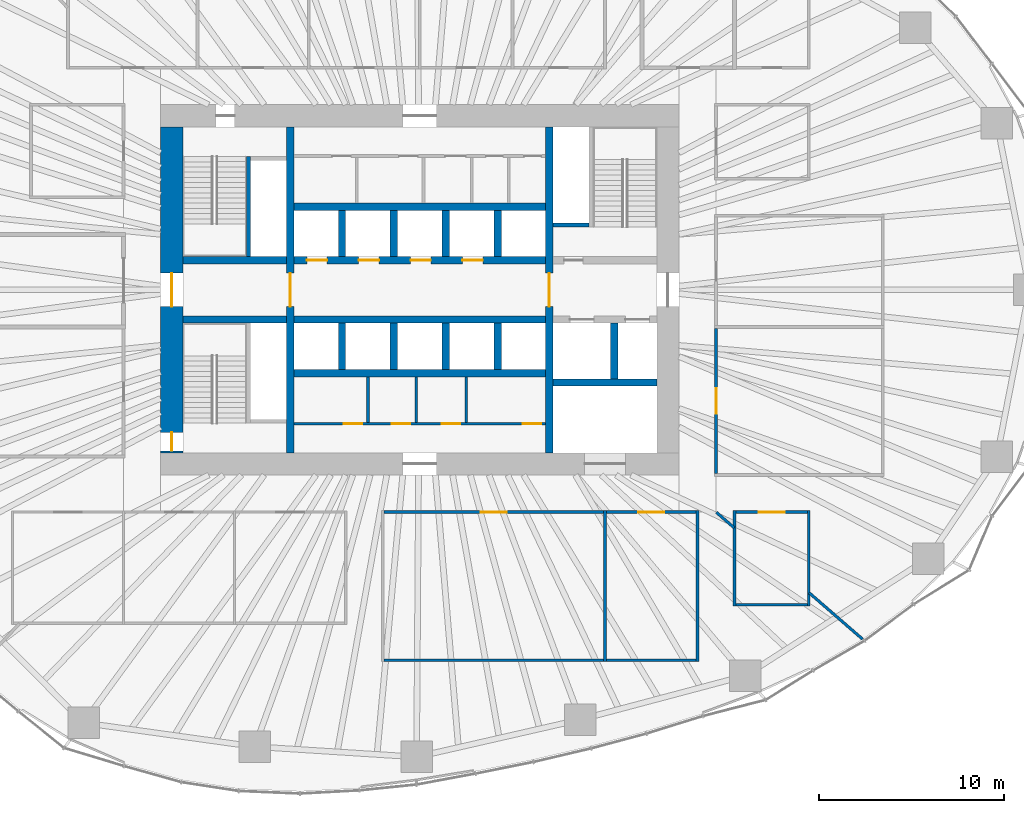
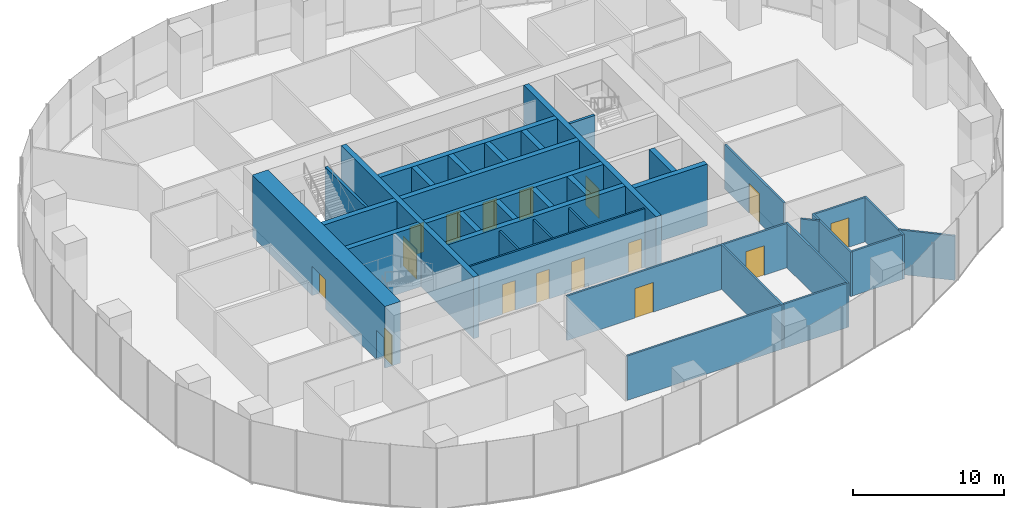
# One storey, part 10 of 20: 38 walls, 16 doors, 16 openings.
"""IFC4 building model written with IfcOpenShell, lengths in metres."""

from ifc_helpers import new_model, si_unit, direction, frame, frame_2d, origin, place, context, subcontext, project, spatial, rectangle, extrude, material, layer, layer_set, type_object, element, fill, save


model = new_model("IFC4")

# Units and contexts
model_context = context("Model", 3, precision=1e-05, world=origin(), true_north=direction((0.0, 1.0)))
body_context = subcontext(model_context, "Body", "Model", "MODEL_VIEW")
ifc_project = project(units=[si_unit("LENGTHUNIT", "METRE"), si_unit("AREAUNIT", "SQUARE_METRE"), si_unit("VOLUMEUNIT", "CUBIC_METRE"), si_unit("PLANEANGLEUNIT", "RADIAN"), si_unit("MASSUNIT", "GRAM", prefix="KILO")], contexts=[model_context])

# Site, building, storey
site_placement = place(None, origin())
site = spatial("IfcSite", under=ifc_project, at=site_placement, CompositionType="ELEMENT")
building_placement = place(site_placement, origin())
building = spatial("IfcBuilding", under=site, at=building_placement, Name="Ghaith Harvest Tower", CompositionType="ELEMENT")
storey_placement = place(building_placement, frame((0.0, 0.0, 90.0)))
storey = spatial("IfcBuildingStorey", under=building, at=storey_placement, Name="L18", CompositionType="ELEMENT", Elevation=90.0)

# Wall, openings, doors
ifc_material_1 = material(Name="Concrete blockwork, fair-faced", Category="masonry")
ifc_layer_1 = layer(ifc_material_1, 0.139892578125)
ifc_layer_set_1 = layer_set([ifc_layer_1], Name="CORE PARTITION 140")
wall_type_1 = type_object("IfcWallType", Name="CORE PARTITION 140", PredefinedType="PARTITIONING", material=ifc_layer_set_1)
wall_1_placement = place(storey_placement, frame((-6.800048828125, -7.22998046875, 0.0), z_axis=(0.0, 0.0, 1.0), x_axis=(1.0, 0.0, 0.0)))
wall_1 = element("IfcWall", 1, at=wall_1_placement, inside=storey, type_object=wall_type_1, Name="Core partition L18", PredefinedType="PARTITIONING", context=body_context, shape_type="SweptSolid", body=[
    extrude(rectangle(XDim=13.60009765625, YDim=0.139892578125, at=frame_2d((6.800048828125, 0.0))), origin(), (0.0, 0.0, 1.0), 4.75),
])
opening_1_placement = place(wall_1_placement, frame((2.679931640625, 0.0, 0.0)))
opening_1 = element("IfcOpeningElement", 2, at=opening_1_placement, cuts=wall_1, Name="Opening 18-013", PredefinedType="OPENING", context=body_context, shape_type="SweptSolid", body=[
    extrude(rectangle(XDim=1.0, YDim=2.39990234375, at=frame_2d((0.5, 1.199951171875))), frame((0.0, 0.080078125, 0.0), z_axis=(0.0, -1.0, 0.0), x_axis=(1.0, 0.0, 0.0)), (0.0, 0.0, 1.0), 0.159912109375),
])
opening_2_placement = place(wall_1_placement, frame((5.280029296875, 0.0, 0.0)))
opening_2 = element("IfcOpeningElement", 3, at=opening_2_placement, cuts=wall_1, Name="Opening 18-014", PredefinedType="OPENING", context=body_context, shape_type="SweptSolid", body=[
    extrude(rectangle(XDim=1.0, YDim=2.39990234375, at=frame_2d((0.5, 1.199951171875))), frame((0.0, 0.080078125, 0.0), z_axis=(0.0, -1.0, 0.0), x_axis=(1.0, 0.0, 0.0)), (0.0, 0.0, 1.0), 0.159912109375),
])
opening_3_placement = place(wall_1_placement, frame((7.97998046875, 0.0, 0.0)))
opening_3 = element("IfcOpeningElement", 4, at=opening_3_placement, cuts=wall_1, Name="Opening 18-015", PredefinedType="OPENING", context=body_context, shape_type="SweptSolid", body=[
    extrude(rectangle(XDim=1.0, YDim=2.39990234375, at=frame_2d((0.5, 1.199951171875))), frame((0.0, 0.080078125, 0.0), z_axis=(0.0, -1.0, 0.0), x_axis=(1.0, 0.0, 0.0)), (0.0, 0.0, 1.0), 0.159912109375),
])
opening_4_placement = place(wall_1_placement, frame((12.35009765625, 0.0, 0.0)))
opening_4 = element("IfcOpeningElement", 5, at=opening_4_placement, cuts=wall_1, Name="Opening 18-016", PredefinedType="OPENING", context=body_context, shape_type="SweptSolid", body=[
    extrude(rectangle(XDim=1.0, YDim=2.39990234375, at=frame_2d((0.5, 1.199951171875))), frame((0.0, 0.080078125, 0.0), z_axis=(0.0, -1.0, 0.0), x_axis=(1.0, 0.0, 0.0)), (0.0, 0.0, 1.0), 0.159912109375),
])
ifc_material_2 = material(Name="Steel fire door", Category="steel")
door_type_1 = type_object("IfcDoorType", Name="D3 FD90 1000x2400", OperationType="SINGLE_SWING_LEFT", PredefinedType="DOOR", material=ifc_material_2)
door_1_placement = place(opening_1_placement, origin())
door_1 = element("IfcDoor", 6, at=door_1_placement, inside=storey, type_object=door_type_1, Name="Electrical room door", OperationType="SINGLE_SWING_LEFT", OverallHeight=2.39990234375, OverallWidth=1.0, PredefinedType="DOOR", context=body_context, shape_type="SweptSolid", body=[
    extrude(rectangle(XDim=1.0, YDim=2.39990234375, at=frame_2d((0.5, 1.199951171875))), frame((0.0, 0.02490234375, 0.0), z_axis=(0.0, -1.0, 0.0), x_axis=(1.0, 0.0, 0.0)), (0.0, 0.0, 1.0), 0.050048828125),
])
fill(opening_1, door_1)
door_2_placement = place(opening_2_placement, origin())
door_2 = element("IfcDoor", 7, at=door_2_placement, inside=storey, type_object=door_type_1, Name="Communications equipment room door", OperationType="SINGLE_SWING_LEFT", OverallHeight=2.39990234375, OverallWidth=1.0, PredefinedType="DOOR", context=body_context, shape_type="SweptSolid", body=[
    extrude(rectangle(XDim=1.0, YDim=2.39990234375, at=frame_2d((0.5, 1.199951171875))), frame((0.0, 0.02490234375, 0.0), z_axis=(0.0, -1.0, 0.0), x_axis=(1.0, 0.0, 0.0)), (0.0, 0.0, 1.0), 0.050048828125),
])
fill(opening_2, door_2)
door_3_placement = place(opening_3_placement, origin())
door_3 = element("IfcDoor", 8, at=door_3_placement, inside=storey, type_object=door_type_1, Name="Staff WC door", OperationType="SINGLE_SWING_RIGHT", OverallHeight=2.39990234375, OverallWidth=1.0, PredefinedType="DOOR", context=body_context, shape_type="SweptSolid", body=[
    extrude(rectangle(XDim=1.0, YDim=2.39990234375, at=frame_2d((0.5, 1.199951171875))), frame((0.0, 0.02490234375, 0.0), z_axis=(0.0, -1.0, 0.0), x_axis=(1.0, 0.0, 0.0)), (0.0, 0.0, 1.0), 0.050048828125),
])
fill(opening_3, door_3)
door_4_placement = place(opening_4_placement, origin())
door_4 = element("IfcDoor", 9, at=door_4_placement, inside=storey, type_object=door_type_1, Name="Riser room door", OperationType="SINGLE_SWING_RIGHT", OverallHeight=2.39990234375, OverallWidth=1.0, PredefinedType="DOOR", context=body_context, shape_type="SweptSolid", body=[
    extrude(rectangle(XDim=1.0, YDim=2.39990234375, at=frame_2d((0.5, 1.199951171875))), frame((0.0, 0.02490234375, 0.0), z_axis=(0.0, -1.0, 0.0), x_axis=(1.0, 0.0, 0.0)), (0.0, 0.0, 1.0), 0.050048828125),
])
fill(opening_4, door_4)

# Walls
for number, where, z_axis, x_axis, name in (
    (10, (-2.800048828125, -4.699951171875, 0.0), (0.0, 0.0, 1.0), (0.0, -1.0, 0.0), "Core partition L18"),
    (11, (-0.199951171875, -4.699951171875, 0.0), (0.0, 0.0, 1.0), (0.0, -1.0, 0.0), "Core partition L18"),
    (12, (2.5, -4.699951171875, 0.0), (0.0, 0.0, 1.0), (0.0, -1.0, 0.0), "Core partition L18"),
):
    element("IfcWall", number, at=place(storey_placement, frame(where, z_axis=z_axis, x_axis=x_axis)), inside=storey, type_object=wall_type_1, Name=name, PredefinedType="PARTITIONING", context=body_context, shape_type="SweptSolid", body=[
        extrude(rectangle(XDim=2.4599609375, YDim=0.139892578125, at=frame_2d((1.22998046875, 0.0))), origin(), (0.0, 0.0, 1.0), 4.75),
    ])

# Wall, openings, doors
ifc_material_3 = material(Name="Concrete C70/85", Category="concrete")
ifc_layer_2 = layer(ifc_material_3, 1.199951171875)
ifc_layer_set_2 = layer_set([ifc_layer_2], Name="CORE WALL CW1200")
wall_type_2 = type_object("IfcWallType", Name="CORE WALL CW1200", PredefinedType="SHEAR", material=ifc_layer_set_2)
wall_2_placement = place(storey_placement, frame((-13.39990234375, 8.800048828125, 0.0), z_axis=(0.0, 0.0, 1.0), x_axis=(0.0, -1.0, 0.0)))
wall_2 = element("IfcWall", 13, at=wall_2_placement, inside=storey, type_object=wall_type_2, Name="Core wall W L18", PredefinedType="SHEAR", context=body_context, shape_type="SweptSolid", body=[
    extrude(rectangle(XDim=17.60009765625, YDim=1.199951171875, at=frame_2d((8.800048828125, 0.0))), origin(), (0.0, 0.0, 1.0), 5.0),
])
opening_5_placement = place(wall_2_placement, frame((7.89990234375, 0.0, 0.0)))
opening_5 = element("IfcOpeningElement", 14, at=opening_5_placement, cuts=wall_2, Name="Opening 18-001", PredefinedType="OPENING", context=body_context, shape_type="SweptSolid", body=[
    extrude(rectangle(XDim=1.800048828125, YDim=2.39990234375, at=frame_2d((0.89990234375, 1.199951171875))), frame((0.0, 0.60986328125, 0.0), z_axis=(0.0, -1.0, 0.0), x_axis=(1.0, 0.0, 0.0)), (0.0, 0.0, 1.0), 1.219970703125),
])
opening_6_placement = place(wall_2_placement, frame((16.5, 0.0, 0.0)))
opening_6 = element("IfcOpeningElement", 15, at=opening_6_placement, cuts=wall_2, Name="Opening 18-006", PredefinedType="OPENING", context=body_context, shape_type="SweptSolid", body=[
    extrude(rectangle(XDim=1.0, YDim=2.39990234375, at=frame_2d((0.5, 1.199951171875))), frame((0.0, 0.60986328125, 0.0), z_axis=(0.0, -1.0, 0.0), x_axis=(1.0, 0.0, 0.0)), (0.0, 0.0, 1.0), 1.219970703125),
])
door_5_placement = place(opening_6_placement, origin())
door_5 = element("IfcDoor", 16, at=door_5_placement, inside=storey, type_object=door_type_1, Name="Stair ST3 door", OperationType="SINGLE_SWING_RIGHT", OverallHeight=2.39990234375, OverallWidth=1.0, PredefinedType="DOOR", context=body_context, shape_type="SweptSolid", body=[
    extrude(rectangle(XDim=1.0, YDim=2.39990234375, at=frame_2d((0.5, 1.199951171875))), frame((0.0, 0.02490234375, 0.0), z_axis=(0.0, -1.0, 0.0), x_axis=(1.0, 0.0, 0.0)), (0.0, 0.0, 1.0), 0.050048828125),
])
fill(opening_6, door_5)
ifc_material_4 = material(Name="Steel fire door", Category="steel")
door_type_2 = type_object("IfcDoorType", Name="D4 FD90 PAIR 1800x2400", OperationType="DOUBLE_DOOR_SINGLE_SWING", PredefinedType="DOOR", material=ifc_material_4)
door_6_placement = place(opening_5_placement, origin())
door_6 = element("IfcDoor", 17, at=door_6_placement, inside=storey, type_object=door_type_2, Name="West lobby doors", OperationType="DOUBLE_DOOR_SINGLE_SWING", OverallHeight=2.39990234375, OverallWidth=1.800048828125, PredefinedType="DOOR", context=body_context, shape_type="SweptSolid", body=[
    extrude(rectangle(XDim=1.800048828125, YDim=2.39990234375, at=frame_2d((0.89990234375, 1.199951171875))), frame((0.0, 0.02490234375, 0.0), z_axis=(0.0, -1.0, 0.0), x_axis=(1.0, 0.0, 0.0)), (0.0, 0.0, 1.0), 0.050048828125),
])
fill(opening_5, door_6)

# Walls
ifc_material_5 = material(Name="Gypsum board on steel studs", Category="steel")
ifc_layer_3 = layer(ifc_material_5, 0.14990234375)
ifc_layer_set_3 = layer_set([ifc_layer_3], Name="PARTITION 150")
wall_type_3 = type_object("IfcWallType", Name="PARTITION 150", PredefinedType="PARTITIONING", material=ifc_layer_set_3)
for number, where, z_axis, x_axis, name in (
    (18, (10.0, -11.925048828125, 0.0), (0.0, 0.0, 1.0), (0.0, -1.0, 0.0), "Partition L18 row S1 cross wall 2"),
    (19, (15.0, -11.925048828125, 0.0), (0.0, 0.0, 1.0), (0.0, -1.0, 0.0), "Partition L18 row S1 cross wall 3"),
):
    element("IfcWall", number, at=place(storey_placement, frame(where, z_axis=z_axis, x_axis=x_axis)), inside=storey, type_object=wall_type_3, Name=name, PredefinedType="PARTITIONING", context=body_context, shape_type="SweptSolid", body=[
        extrude(rectangle(XDim=8.14990234375, YDim=0.14990234375, at=frame_2d((4.074951171875, 0.0))), origin(), (0.0, 0.0, 1.0), 3.60009765625),
    ])

# Wall, opening, door
wall_3_placement = place(storey_placement, frame((-1.925048828125, -12.0, 0.0), z_axis=(0.0, 0.0, 1.0), x_axis=(1.0, 0.0, 0.0)))
wall_3 = element("IfcWall", 20, at=wall_3_placement, inside=storey, type_object=wall_type_3, Name="Partition L18-01", PredefinedType="PARTITIONING", context=body_context, shape_type="SweptSolid", body=[
    extrude(rectangle(XDim=11.85009765625, YDim=0.14990234375, at=frame_2d((5.925048828125, 0.0))), origin(), (0.0, 0.0, 1.0), 3.60009765625),
])
opening_7_placement = place(wall_3_placement, frame((5.22509765625, 0.0, 0.0)))
opening_7 = element("IfcOpeningElement", 21, at=opening_7_placement, cuts=wall_3, Name="Opening 18-026", PredefinedType="OPENING", context=body_context, shape_type="SweptSolid", body=[
    extrude(rectangle(XDim=1.39990234375, YDim=2.39990234375, at=frame_2d((0.699951171875, 1.199951171875))), frame((0.0, 0.0849609375, 0.0), z_axis=(0.0, -1.0, 0.0), x_axis=(1.0, 0.0, 0.0)), (0.0, 0.0, 1.0), 0.169921875),
])
ifc_material_6 = material(Name="Stainless steel faced door pair", Category="steel")
door_type_3 = type_object("IfcDoorType", Name="D14 HYGIENE PAIR 1400x2400", OperationType="DOUBLE_DOOR_DOUBLE_SWING", PredefinedType="DOOR", material=ifc_material_6)
door_7_placement = place(opening_7_placement, origin())
door_7 = element("IfcDoor", 22, at=door_7_placement, inside=storey, type_object=door_type_3, Name="Packing room door", OperationType="DOUBLE_DOOR_DOUBLE_SWING", OverallHeight=2.39990234375, OverallWidth=1.39990234375, PredefinedType="DOOR", context=body_context, shape_type="SweptSolid", body=[
    extrude(rectangle(XDim=1.39990234375, YDim=2.39990234375, at=frame_2d((0.699951171875, 1.199951171875))), frame((0.0, 0.02490234375, 0.0), z_axis=(0.0, -1.0, 0.0), x_axis=(1.0, 0.0, 0.0)), (0.0, 0.0, 1.0), 0.050048828125),
])
fill(opening_7, door_7)

# Wall
wall_4_placement = place(storey_placement, frame((-1.925048828125, -20.0, 0.0), z_axis=(0.0, 0.0, 1.0), x_axis=(1.0, 0.0, 0.0)))
element("IfcWall", 23, at=wall_4_placement, inside=storey, type_object=wall_type_3, Name="Partition L18-01", PredefinedType="PARTITIONING", context=body_context, shape_type="SweptSolid", body=[
    extrude(rectangle(XDim=11.85009765625, YDim=0.14990234375, at=frame_2d((5.925048828125, 0.0))), origin(), (0.0, 0.0, 1.0), 3.60009765625),
])

# Wall, opening, door
wall_5_placement = place(storey_placement, frame((10.074951171875, -12.0, 0.0), z_axis=(0.0, 0.0, 1.0), x_axis=(1.0, 0.0, 0.0)))
wall_5 = element("IfcWall", 24, at=wall_5_placement, inside=storey, type_object=wall_type_3, Name="Partition L18-02", PredefinedType="PARTITIONING", context=body_context, shape_type="SweptSolid", body=[
    extrude(rectangle(XDim=4.85009765625, YDim=0.14990234375, at=frame_2d((2.425048828125, 0.0))), origin(), (0.0, 0.0, 1.0), 3.60009765625),
])
opening_8_placement = place(wall_5_placement, frame((1.72509765625, 0.0, 0.0)))
opening_8 = element("IfcOpeningElement", 25, at=opening_8_placement, cuts=wall_5, Name="Opening 18-027", PredefinedType="OPENING", context=body_context, shape_type="SweptSolid", body=[
    extrude(rectangle(XDim=1.39990234375, YDim=2.39990234375, at=frame_2d((0.699951171875, 1.199951171875))), frame((0.0, 0.0849609375, 0.0), z_axis=(0.0, -1.0, 0.0), x_axis=(1.0, 0.0, 0.0)), (0.0, 0.0, 1.0), 0.169921875),
])
door_8_placement = place(opening_8_placement, origin())
door_8 = element("IfcDoor", 26, at=door_8_placement, inside=storey, type_object=door_type_3, Name="Dispatch room door", OperationType="DOUBLE_DOOR_DOUBLE_SWING", OverallHeight=2.39990234375, OverallWidth=1.39990234375, PredefinedType="DOOR", context=body_context, shape_type="SweptSolid", body=[
    extrude(rectangle(XDim=1.39990234375, YDim=2.39990234375, at=frame_2d((0.699951171875, 1.199951171875))), frame((0.0, 0.02490234375, 0.0), z_axis=(0.0, -1.0, 0.0), x_axis=(1.0, 0.0, 0.0)), (0.0, 0.0, 1.0), 0.050048828125),
])
fill(opening_8, door_8)

# Wall
wall_6_placement = place(storey_placement, frame((10.074951171875, -20.0, 0.0), z_axis=(0.0, 0.0, 1.0), x_axis=(1.0, 0.0, 0.0)))
element("IfcWall", 27, at=wall_6_placement, inside=storey, type_object=wall_type_3, Name="Partition L18-02", PredefinedType="PARTITIONING", context=body_context, shape_type="SweptSolid", body=[
    extrude(rectangle(XDim=4.85009765625, YDim=0.14990234375, at=frame_2d((2.425048828125, 0.0))), origin(), (0.0, 0.0, 1.0), 3.60009765625),
])

# Wall, opening, door
wall_7_placement = place(storey_placement, frame((16.0, -9.925048828125, 0.0), z_axis=(0.0, 0.0, 1.0), x_axis=(0.0, 1.0, 0.0)))
wall_7 = element("IfcWall", 28, at=wall_7_placement, inside=storey, type_object=wall_type_3, Name="Partition L18-06", PredefinedType="PARTITIONING", context=body_context, shape_type="SweptSolid", body=[
    extrude(rectangle(XDim=7.85009765625, YDim=0.14990234375, at=frame_2d((3.925048828125, 0.0))), origin(), (0.0, 0.0, 1.0), 3.60009765625),
])
opening_9_placement = place(wall_7_placement, frame((3.22509765625, 0.0, 0.0)))
opening_9 = element("IfcOpeningElement", 29, at=opening_9_placement, cuts=wall_7, Name="Opening 18-031", PredefinedType="OPENING", context=body_context, shape_type="SweptSolid", body=[
    extrude(rectangle(XDim=1.39990234375, YDim=2.39990234375, at=frame_2d((0.699951171875, 1.199951171875))), frame((0.0, 0.0849609375, 0.0), z_axis=(0.0, -1.0, 0.0), x_axis=(1.0, 0.0, 0.0)), (0.0, 0.0, 1.0), 0.169921875),
])
door_9_placement = place(opening_9_placement, origin())
door_9 = element("IfcDoor", 30, at=door_9_placement, inside=storey, type_object=door_type_3, Name="Washing room door", OperationType="DOUBLE_DOOR_DOUBLE_SWING", OverallHeight=2.39990234375, OverallWidth=1.39990234375, PredefinedType="DOOR", context=body_context, shape_type="SweptSolid", body=[
    extrude(rectangle(XDim=1.39990234375, YDim=2.39990234375, at=frame_2d((0.699951171875, 1.199951171875))), frame((0.0, 0.02490234375, 0.0), z_axis=(0.0, -1.0, 0.0), x_axis=(1.0, 0.0, 0.0)), (0.0, 0.0, 1.0), 0.050048828125),
])
fill(opening_9, door_9)

# Walls
for number, where, z_axis, x_axis, name in (
    (31, (17.0, -11.925048828125, 0.0), (0.0, 0.0, 1.0), (0.0, -1.0, 0.0), "Partition L18 row S7 cross wall 1"),
    (32, (21.0, -11.925048828125, 0.0), (0.0, 0.0, 1.0), (0.0, -1.0, 0.0), "Partition L18 row S7 cross wall 2"),
):
    element("IfcWall", number, at=place(storey_placement, frame(where, z_axis=z_axis, x_axis=x_axis)), inside=storey, type_object=wall_type_3, Name=name, PredefinedType="PARTITIONING", context=body_context, shape_type="SweptSolid", body=[
        extrude(rectangle(XDim=5.14990234375, YDim=0.14990234375, at=frame_2d((2.574951171875, 0.0))), origin(), (0.0, 0.0, 1.0), 3.60009765625),
    ])

# Wall, opening, door
wall_8_placement = place(storey_placement, frame((17.074951171875, -12.0, 0.0), z_axis=(0.0, 0.0, 1.0), x_axis=(1.0, 0.0, 0.0)))
wall_8 = element("IfcWall", 33, at=wall_8_placement, inside=storey, type_object=wall_type_3, Name="Partition L18-17", PredefinedType="PARTITIONING", context=body_context, shape_type="SweptSolid", body=[
    extrude(rectangle(XDim=3.85009765625, YDim=0.14990234375, at=frame_2d((1.925048828125, 0.0))), origin(), (0.0, 0.0, 1.0), 3.60009765625),
])
opening_10_placement = place(wall_8_placement, frame((1.22509765625, 0.0, 0.0)))
opening_10 = element("IfcOpeningElement", 34, at=opening_10_placement, cuts=wall_8, Name="Opening 18-042", PredefinedType="OPENING", context=body_context, shape_type="SweptSolid", body=[
    extrude(rectangle(XDim=1.39990234375, YDim=2.39990234375, at=frame_2d((0.699951171875, 1.199951171875))), frame((0.0, 0.0849609375, 0.0), z_axis=(0.0, -1.0, 0.0), x_axis=(1.0, 0.0, 0.0)), (0.0, 0.0, 1.0), 0.169921875),
])
door_10_placement = place(opening_10_placement, origin())
door_10 = element("IfcDoor", 35, at=door_10_placement, inside=storey, type_object=door_type_3, Name="Trolley store door", OperationType="DOUBLE_DOOR_DOUBLE_SWING", OverallHeight=2.39990234375, OverallWidth=1.39990234375, PredefinedType="DOOR", context=body_context, shape_type="SweptSolid", body=[
    extrude(rectangle(XDim=1.39990234375, YDim=2.39990234375, at=frame_2d((0.699951171875, 1.199951171875))), frame((0.0, 0.02490234375, 0.0), z_axis=(0.0, -1.0, 0.0), x_axis=(1.0, 0.0, 0.0)), (0.0, 0.0, 1.0), 0.050048828125),
])
fill(opening_10, door_10)

# Walls
wall_9_placement = place(storey_placement, frame((17.074951171875, -17.0, 0.0), z_axis=(0.0, 0.0, 1.0), x_axis=(1.0, 0.0, 0.0)))
element("IfcWall", 36, at=wall_9_placement, inside=storey, type_object=wall_type_3, Name="Partition L18-17", PredefinedType="PARTITIONING", context=body_context, shape_type="SweptSolid", body=[
    extrude(rectangle(XDim=3.85009765625, YDim=0.14990234375, at=frame_2d((1.925048828125, 0.0))), origin(), (0.0, 0.0, 1.0), 3.60009765625),
])
wall_10_placement = place(storey_placement, frame((21.02001953125, -16.35400390625, 0.0), z_axis=(0.0, 0.0, 1.0), x_axis=(0.755425653008, -0.655234372402, 0.0)))
element("IfcWall", 37, at=wall_10_placement, inside=storey, type_object=wall_type_3, Name="Partition L18 zone division", PredefinedType="PARTITIONING", context=body_context, shape_type="SweptSolid", body=[
    extrude(rectangle(XDim=3.8232421875, YDim=0.14990234375, at=frame_2d((1.91162109375, 0.0))), origin(), (0.0, 0.0, 1.0), 3.60009765625),
])
wall_11_placement = place(storey_placement, frame((16.01513671875, -12.01318359375, 0.0), z_axis=(0.0, 0.0, 1.0), x_axis=(0.755411512729, -0.655250674503, 0.0)))
element("IfcWall", 38, at=wall_11_placement, inside=storey, type_object=wall_type_3, Name="Partition L18 zone division", PredefinedType="PARTITIONING", context=body_context, shape_type="SweptSolid", body=[
    extrude(rectangle(XDim=1.27734375, YDim=0.14990234375, at=frame_2d((0.638671875, 0.0))), origin(), (0.0, 0.0, 1.0), 3.60009765625),
])

# Wall, opening, door
ifc_material_7 = material(Name="Concrete C70/85", Category="concrete")
ifc_layer_4 = layer(ifc_material_7, 0.39990234375)
ifc_layer_set_4 = layer_set([ifc_layer_4], Name="SHAFT WALL 400")
wall_type_4 = type_object("IfcWallType", Name="SHAFT WALL 400", PredefinedType="SHEAR", material=ifc_layer_set_4)
wall_12_placement = place(storey_placement, frame((-7.0, -8.800048828125, 0.0), z_axis=(0.0, 0.0, 1.0), x_axis=(0.0, 1.0, 0.0)))
wall_12 = element("IfcWall", 39, at=wall_12_placement, inside=storey, type_object=wall_type_4, Name="Shaft wall W7W L18", PredefinedType="SHEAR", context=body_context, shape_type="SweptSolid", body=[
    extrude(rectangle(XDim=17.60009765625, YDim=0.39990234375, at=frame_2d((8.800048828125, 0.0))), origin(), (0.0, 0.0, 1.0), 5.0),
])
opening_11_placement = place(wall_12_placement, frame((7.89990234375, 0.0, 0.0)))
opening_11 = element("IfcOpeningElement", 40, at=opening_11_placement, cuts=wall_12, Name="Opening 18-003", PredefinedType="OPENING", context=body_context, shape_type="SweptSolid", body=[
    extrude(rectangle(XDim=1.800048828125, YDim=2.39990234375, at=frame_2d((0.89990234375, 1.199951171875))), frame((0.0, 0.2099609375, 0.0), z_axis=(0.0, -1.0, 0.0), x_axis=(1.0, 0.0, 0.0)), (0.0, 0.0, 1.0), 0.419921875),
])
door_11_placement = place(opening_11_placement, origin())
door_11 = element("IfcDoor", 41, at=door_11_placement, inside=storey, type_object=door_type_2, Name="Lift lobby doors, west", OperationType="DOUBLE_DOOR_SINGLE_SWING", OverallHeight=2.39990234375, OverallWidth=1.800048828125, PredefinedType="DOOR", context=body_context, shape_type="SweptSolid", body=[
    extrude(rectangle(XDim=1.800048828125, YDim=2.39990234375, at=frame_2d((0.89990234375, 1.199951171875))), frame((0.0, 0.02490234375, 0.0), z_axis=(0.0, -1.0, 0.0), x_axis=(1.0, 0.0, 0.0)), (0.0, 0.0, 1.0), 0.050048828125),
])
fill(opening_11, door_11)

wall_13_placement = place(storey_placement, frame((7.0, -8.800048828125, 0.0), z_axis=(0.0, 0.0, 1.0), x_axis=(0.0, 1.0, 0.0)))
wall_13 = element("IfcWall", 42, at=wall_13_placement, inside=storey, type_object=wall_type_4, Name="Shaft wall W7E L18", PredefinedType="SHEAR", context=body_context, shape_type="SweptSolid", body=[
    extrude(rectangle(XDim=17.60009765625, YDim=0.39990234375, at=frame_2d((8.800048828125, 0.0))), origin(), (0.0, 0.0, 1.0), 5.0),
])
opening_12_placement = place(wall_13_placement, frame((7.89990234375, 0.0, 0.0)))
opening_12 = element("IfcOpeningElement", 43, at=opening_12_placement, cuts=wall_13, Name="Opening 18-004", PredefinedType="OPENING", context=body_context, shape_type="SweptSolid", body=[
    extrude(rectangle(XDim=1.800048828125, YDim=2.39990234375, at=frame_2d((0.89990234375, 1.199951171875))), frame((0.0, 0.2099609375, 0.0), z_axis=(0.0, -1.0, 0.0), x_axis=(1.0, 0.0, 0.0)), (0.0, 0.0, 1.0), 0.419921875),
])
door_12_placement = place(opening_12_placement, origin())
door_12 = element("IfcDoor", 44, at=door_12_placement, inside=storey, type_object=door_type_2, Name="Lift lobby doors, east", OperationType="DOUBLE_DOOR_SINGLE_SWING", OverallHeight=2.39990234375, OverallWidth=1.800048828125, PredefinedType="DOOR", context=body_context, shape_type="SweptSolid", body=[
    extrude(rectangle(XDim=1.800048828125, YDim=2.39990234375, at=frame_2d((0.89990234375, 1.199951171875))), frame((0.0, 0.02490234375, 0.0), z_axis=(0.0, -1.0, 0.0), x_axis=(1.0, 0.0, 0.0)), (0.0, 0.0, 1.0), 0.050048828125),
])
fill(opening_12, door_12)

# Wall, openings, doors
wall_14_placement = place(storey_placement, frame((-6.800048828125, 1.60009765625, 0.0), z_axis=(0.0, 0.0, 1.0), x_axis=(1.0, 0.0, 0.0)))
wall_14 = element("IfcWall", 45, at=wall_14_placement, inside=storey, type_object=wall_type_4, Name="Shaft wall LN L18", PredefinedType="SHEAR", context=body_context, shape_type="SweptSolid", body=[
    extrude(rectangle(XDim=13.60009765625, YDim=0.39990234375, at=frame_2d((6.800048828125, 0.0))), origin(), (0.0, 0.0, 1.0), 5.0),
])
opening_13_placement = place(wall_14_placement, frame((0.699951171875, 0.0, 0.0)))
opening_13 = element("IfcOpeningElement", 46, at=opening_13_placement, cuts=wall_14, Name="Opening 18-019", PredefinedType="OPENING", context=body_context, shape_type="SweptSolid", body=[
    extrude(rectangle(XDim=1.10009765625, YDim=2.39990234375, at=frame_2d((0.550048828125, 1.199951171875))), frame((0.0, 0.2099609375, 0.0), z_axis=(0.0, -1.0, 0.0), x_axis=(1.0, 0.0, 0.0)), (0.0, 0.0, 1.0), 0.419921875),
])
opening_14_placement = place(wall_14_placement, frame((3.5, 0.0, 0.0)))
opening_14 = element("IfcOpeningElement", 47, at=opening_14_placement, cuts=wall_14, Name="Opening 18-020", PredefinedType="OPENING", context=body_context, shape_type="SweptSolid", body=[
    extrude(rectangle(XDim=1.10009765625, YDim=2.39990234375, at=frame_2d((0.550048828125, 1.199951171875))), frame((0.0, 0.2099609375, 0.0), z_axis=(0.0, -1.0, 0.0), x_axis=(1.0, 0.0, 0.0)), (0.0, 0.0, 1.0), 0.419921875),
])
opening_15_placement = place(wall_14_placement, frame((6.300048828125, 0.0, 0.0)))
opening_15 = element("IfcOpeningElement", 48, at=opening_15_placement, cuts=wall_14, Name="Opening 18-021", PredefinedType="OPENING", context=body_context, shape_type="SweptSolid", body=[
    extrude(rectangle(XDim=1.10009765625, YDim=2.39990234375, at=frame_2d((0.550048828125, 1.199951171875))), frame((0.0, 0.2099609375, 0.0), z_axis=(0.0, -1.0, 0.0), x_axis=(1.0, 0.0, 0.0)), (0.0, 0.0, 1.0), 0.419921875),
])
opening_16_placement = place(wall_14_placement, frame((9.10009765625, 0.0, 0.0)))
opening_16 = element("IfcOpeningElement", 49, at=opening_16_placement, cuts=wall_14, Name="Opening 18-022", PredefinedType="OPENING", context=body_context, shape_type="SweptSolid", body=[
    extrude(rectangle(XDim=1.10009765625, YDim=2.39990234375, at=frame_2d((0.550048828125, 1.199951171875))), frame((0.0, 0.2099609375, 0.0), z_axis=(0.0, -1.0, 0.0), x_axis=(1.0, 0.0, 0.0)), (0.0, 0.0, 1.0), 0.419921875),
])
ifc_material_8 = material(Name="Steel fire door", Category="steel")
door_type_4 = type_object("IfcDoorType", Name="LD1 LANDING 1100x2400", OperationType="DOUBLE_DOOR_SLIDING", PredefinedType="DOOR", material=ifc_material_8)
door_13_placement = place(opening_13_placement, origin())
door_13 = element("IfcDoor", 50, at=door_13_placement, inside=storey, type_object=door_type_4, Name="Landing door, lift FA1", OperationType="DOUBLE_DOOR_SLIDING", OverallHeight=2.39990234375, OverallWidth=1.10009765625, PredefinedType="DOOR", context=body_context, shape_type="SweptSolid", body=[
    extrude(rectangle(XDim=1.10009765625, YDim=2.39990234375, at=frame_2d((0.550048828125, 1.199951171875))), frame((0.0, 0.02490234375, 0.0), z_axis=(0.0, -1.0, 0.0), x_axis=(1.0, 0.0, 0.0)), (0.0, 0.0, 1.0), 0.050048828125),
])
fill(opening_13, door_13)
door_14_placement = place(opening_14_placement, origin())
door_14 = element("IfcDoor", 51, at=door_14_placement, inside=storey, type_object=door_type_4, Name="Landing door, lift FA2", OperationType="DOUBLE_DOOR_SLIDING", OverallHeight=2.39990234375, OverallWidth=1.10009765625, PredefinedType="DOOR", context=body_context, shape_type="SweptSolid", body=[
    extrude(rectangle(XDim=1.10009765625, YDim=2.39990234375, at=frame_2d((0.550048828125, 1.199951171875))), frame((0.0, 0.02490234375, 0.0), z_axis=(0.0, -1.0, 0.0), x_axis=(1.0, 0.0, 0.0)), (0.0, 0.0, 1.0), 0.050048828125),
])
fill(opening_14, door_14)
door_15_placement = place(opening_15_placement, origin())
door_15 = element("IfcDoor", 52, at=door_15_placement, inside=storey, type_object=door_type_4, Name="Landing door, lift FA3", OperationType="DOUBLE_DOOR_SLIDING", OverallHeight=2.39990234375, OverallWidth=1.10009765625, PredefinedType="DOOR", context=body_context, shape_type="SweptSolid", body=[
    extrude(rectangle(XDim=1.10009765625, YDim=2.39990234375, at=frame_2d((0.550048828125, 1.199951171875))), frame((0.0, 0.02490234375, 0.0), z_axis=(0.0, -1.0, 0.0), x_axis=(1.0, 0.0, 0.0)), (0.0, 0.0, 1.0), 0.050048828125),
])
fill(opening_15, door_15)
door_16_placement = place(opening_16_placement, origin())
door_16 = element("IfcDoor", 53, at=door_16_placement, inside=storey, type_object=door_type_4, Name="Landing door, lift FA4", OperationType="DOUBLE_DOOR_SLIDING", OverallHeight=2.39990234375, OverallWidth=1.10009765625, PredefinedType="DOOR", context=body_context, shape_type="SweptSolid", body=[
    extrude(rectangle(XDim=1.10009765625, YDim=2.39990234375, at=frame_2d((0.550048828125, 1.199951171875))), frame((0.0, 0.02490234375, 0.0), z_axis=(0.0, -1.0, 0.0), x_axis=(1.0, 0.0, 0.0)), (0.0, 0.0, 1.0), 0.050048828125),
])
fill(opening_16, door_16)

# Walls
for number, where, z_axis, x_axis, name in (
    (54, (-6.800048828125, -1.60009765625, 0.0), (0.0, 0.0, 1.0), (1.0, 0.0, 0.0), "Shaft wall LS L18"),
    (55, (-6.800048828125, 4.5, 0.0), (0.0, 0.0, 1.0), (1.0, 0.0, 0.0), "Shaft wall BN L18"),
    (56, (-6.800048828125, -4.5, 0.0), (0.0, 0.0, 1.0), (1.0, 0.0, 0.0), "Shaft wall BS L18"),
):
    element("IfcWall", number, at=place(storey_placement, frame(where, z_axis=z_axis, x_axis=x_axis)), inside=storey, type_object=wall_type_4, Name=name, PredefinedType="SHEAR", context=body_context, shape_type="SweptSolid", body=[
        extrude(rectangle(XDim=13.60009765625, YDim=0.39990234375, at=frame_2d((6.800048828125, 0.0))), origin(), (0.0, 0.0, 1.0), 5.0),
    ])
for number, where, z_axis, x_axis, name in (
    (57, (-12.800048828125, 1.60009765625, 0.0), (0.0, 0.0, 1.0), (1.0, 0.0, 0.0), "Shaft wall WN L18"),
    (58, (-12.800048828125, -1.60009765625, 0.0), (0.0, 0.0, 1.0), (1.0, 0.0, 0.0), "Shaft wall WS L18"),
):
    element("IfcWall", number, at=place(storey_placement, frame(where, z_axis=z_axis, x_axis=x_axis)), inside=storey, type_object=wall_type_4, Name=name, PredefinedType="SHEAR", context=body_context, shape_type="SweptSolid", body=[
        extrude(rectangle(XDim=5.60009765625, YDim=0.39990234375, at=frame_2d((2.800048828125, 0.0))), origin(), (0.0, 0.0, 1.0), 5.0),
    ])
wall_15_placement = place(storey_placement, frame((10.5, -4.800048828125, 0.0), z_axis=(0.0, 0.0, 1.0), x_axis=(0.0, 1.0, 0.0)))
element("IfcWall", 59, at=wall_15_placement, inside=storey, type_object=wall_type_4, Name="Shaft wall FLD L18", PredefinedType="SHEAR", context=body_context, shape_type="SweptSolid", body=[
    extrude(rectangle(XDim=3.0, YDim=0.39990234375, at=frame_2d((1.5, 0.0))), origin(), (0.0, 0.0, 1.0), 5.0),
])
wall_16_placement = place(storey_placement, frame((7.199951171875, -5.0, 0.0), z_axis=(0.0, 0.0, 1.0), x_axis=(1.0, 0.0, 0.0)))
element("IfcWall", 60, at=wall_16_placement, inside=storey, type_object=wall_type_4, Name="Shaft wall FLB L18", PredefinedType="SHEAR", context=body_context, shape_type="SweptSolid", body=[
    extrude(rectangle(XDim=5.60009765625, YDim=0.39990234375, at=frame_2d((2.800048828125, 0.0))), origin(), (0.0, 0.0, 1.0), 5.0),
])
for number, where, z_axis, x_axis, name in (
    (61, (-4.199951171875, 1.800048828125, 0.0), (0.0, 0.0, 1.0), (0.0, 1.0, 0.0), "Shaft wall DN1 L18"),
    (62, (-4.199951171875, -4.300048828125, 0.0), (0.0, 0.0, 1.0), (0.0, 1.0, 0.0), "Shaft wall DS1 L18"),
    (63, (-1.39990234375, 1.800048828125, 0.0), (0.0, 0.0, 1.0), (0.0, 1.0, 0.0), "Shaft wall DN2 L18"),
    (64, (-1.39990234375, -4.300048828125, 0.0), (0.0, 0.0, 1.0), (0.0, 1.0, 0.0), "Shaft wall DS2 L18"),
    (65, (1.39990234375, 1.800048828125, 0.0), (0.0, 0.0, 1.0), (0.0, 1.0, 0.0), "Shaft wall DN3 L18"),
    (66, (1.39990234375, -4.300048828125, 0.0), (0.0, 0.0, 1.0), (0.0, 1.0, 0.0), "Shaft wall DS3 L18"),
    (67, (4.199951171875, 1.800048828125, 0.0), (0.0, 0.0, 1.0), (0.0, 1.0, 0.0), "Shaft wall DN4 L18"),
    (68, (4.199951171875, -4.300048828125, 0.0), (0.0, 0.0, 1.0), (0.0, 1.0, 0.0), "Shaft wall DS4 L18"),
):
    element("IfcWall", number, at=place(storey_placement, frame(where, z_axis=z_axis, x_axis=x_axis)), inside=storey, type_object=wall_type_4, Name=name, PredefinedType="SHEAR", context=body_context, shape_type="SweptSolid", body=[
        extrude(rectangle(XDim=2.5, YDim=0.39990234375, at=frame_2d((1.25, 0.0))), origin(), (0.0, 0.0, 1.0), 5.0),
    ])
ifc_material_9 = material(Name="Concrete C40/50", Category="concrete")
ifc_layer_5 = layer(ifc_material_9, 0.199951171875)
ifc_layer_set_5 = layer_set([ifc_layer_5], Name="STAIR SPINE WALL RC200")
wall_type_5 = type_object("IfcWallType", Name="STAIR SPINE WALL RC200", PredefinedType="SOLIDWALL", material=ifc_layer_set_5)
wall_17_placement = place(storey_placement, frame((-9.25, 7.199951171875, 0.0), z_axis=(0.0, 0.0, 1.0), x_axis=(0.0, -1.0, 0.0)))
element("IfcWall", 69, at=wall_17_placement, inside=storey, type_object=wall_type_5, Name="Stair ST1 spine wall L18", PredefinedType="SOLIDWALL", context=body_context, shape_type="SweptSolid", body=[
    extrude(rectangle(XDim=5.39990234375, YDim=0.199951171875, at=frame_2d((2.699951171875, 0.0))), origin(), (0.0, 0.0, 1.0), 5.0),
])
wall_18_placement = place(storey_placement, frame((9.14990234375, 3.5, 0.0), z_axis=(0.0, 0.0, 1.0), x_axis=(-1.0, 0.0, 0.0)))
element("IfcWall", 70, at=wall_18_placement, inside=storey, type_object=wall_type_5, Name="Stair ST2 spine wall return L18", PredefinedType="SOLIDWALL", context=body_context, shape_type="SweptSolid", body=[
    extrude(rectangle(XDim=1.949951171875, YDim=0.199951171875, at=frame_2d((0.97509765625, 0.0))), origin(), (0.0, 0.0, 1.0), 5.0),
])

save(model, "model.ifc")
